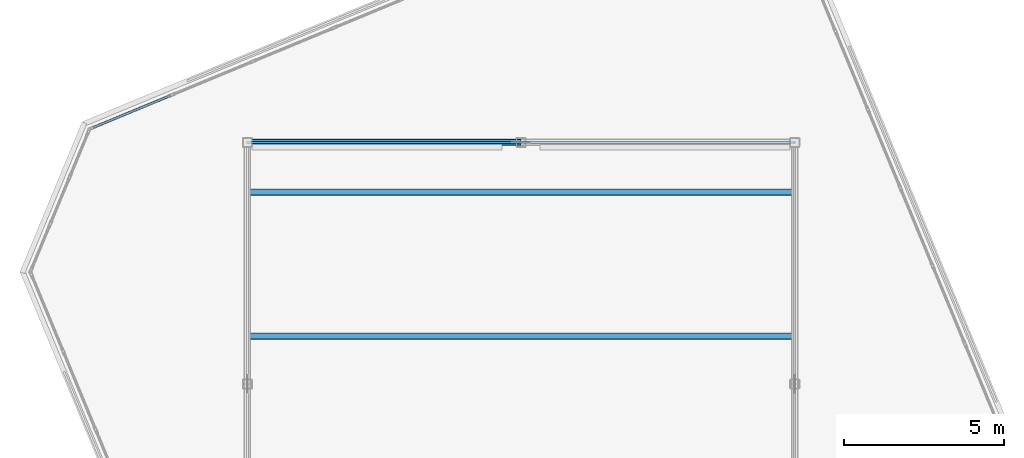
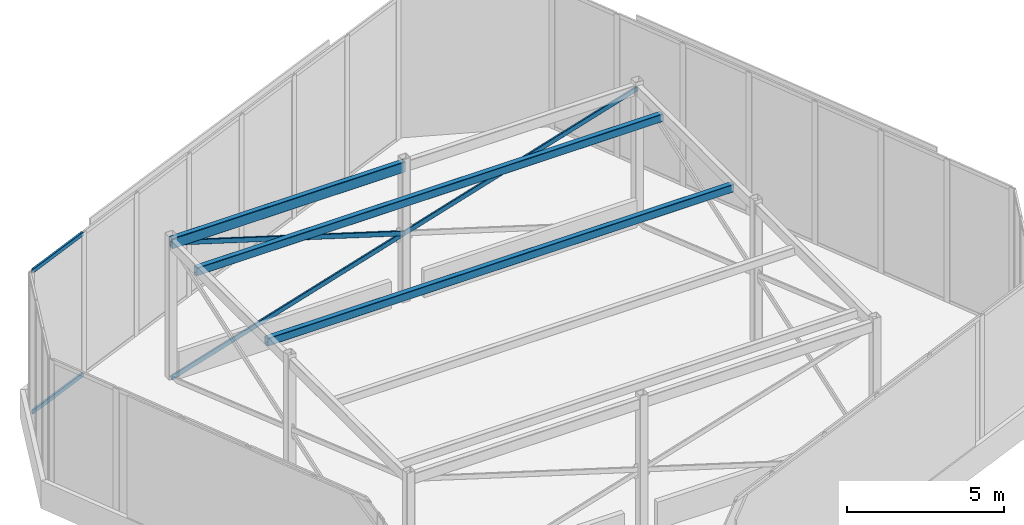
# One storey, part 8 of 12: 7 members, 1 element without a shape of its own.
"""IFC4 building model written with IfcOpenShell, lengths in metres."""

from ifc_helpers import new_model, si_unit, direction, frame, origin, origin_2d, place, context, subcontext, project, spatial, hollow_rectangle, extrude, source, transform, mapped, material, material_profile, profile_set, type_object, element, aggregate, save


model = new_model("IFC4")

# Units and contexts
model_context = context("Model", 3, precision=1e-05, world=origin(), true_north=direction((0.0, 1.0)))
body_context = subcontext(model_context, "Body", "Model", "MODEL_VIEW")
ifc_project = project(units=[si_unit("LENGTHUNIT", "METRE"), si_unit("AREAUNIT", "SQUARE_METRE"), si_unit("VOLUMEUNIT", "CUBIC_METRE"), si_unit("PLANEANGLEUNIT", "RADIAN"), si_unit("MASSUNIT", "GRAM", prefix="KILO")], contexts=[model_context])

# Site, building, storey
site_placement = place(None, origin())
site = spatial("IfcSite", under=ifc_project, at=site_placement, CompositionType="ELEMENT")
building_placement = place(site_placement, origin())
building = spatial("IfcBuilding", under=site, at=building_placement, Name="Torre Montelarca", CompositionType="ELEMENT")
storey_placement = place(building_placement, frame((0.0, 0.0, 370.60009765625)))
storey = spatial("IfcBuildingStorey", under=building, at=storey_placement, Name="RF", CompositionType="ELEMENT", Elevation=370.60009765625)

# Members
ifc_material_1 = material(Name="Steel ASTM A500 Grade C", Category="steel")
ifc_material_profile_1 = material_profile(ifc_material_1, hollow_rectangle(XDim=0.203125, YDim=0.406494140625, WallThickness=0.015869140625, InnerFilletRadius=0.015869140625, OuterFilletRadius=0.03173828125, at=origin_2d()), Name="HSS406X203X15.9", Category="steel")
ifc_profile_set_1 = profile_set([ifc_material_profile_1], Name="Steel ASTM A500 Grade C")
member_type_1 = type_object("IfcMemberType", Name="MB-CF-HSS406-EXT", PredefinedType="USERDEFINED", material=ifc_profile_set_1)
shared_shape_1 = source(origin(), body_context, "Body", "SweptSolid", [
    extrude(hollow_rectangle(XDim=0.203125, YDim=0.406494140625, WallThickness=0.015869140625, InnerFilletRadius=0.015869140625, OuterFilletRadius=0.03173828125, at=origin_2d()), origin(), (0.0, 0.0, 1.0), 8.550048828125),
])
member_1_placement = place(storey_placement, frame((9.449951171875, 39.550048828125, 5.199951171875), z_axis=(1.0, 0.0, 0.0), x_axis=(0.0, 1.0, 0.0)))
element("IfcMember", 1, at=member_1_placement, inside=storey, type_object=member_type_1, Name="RF Crown Frame Ring Beam 03", ObjectType="CROWN FRAME", PredefinedType="USERDEFINED", context=body_context, shape_type="MappedRepresentation", body=[
    mapped(shared_shape_1, transform((0.0, 0.0, 0.0), scale=1.0)),
])
ifc_material_profile_2 = material_profile(ifc_material_1, hollow_rectangle(XDim=0.203125, YDim=0.3046875, WallThickness=0.0126953125, InnerFilletRadius=0.0126953125, OuterFilletRadius=0.025390625, at=origin_2d()), Name="HSS305X203X12.7", Category="steel")
ifc_profile_set_2 = profile_set([ifc_material_profile_2], Name="Steel ASTM A500 Grade C")
member_type_2 = type_object("IfcMemberType", Name="MB-PU-HSS305-EXT", PredefinedType="PURLIN", material=ifc_profile_set_2)
shared_shape_2 = source(origin(), body_context, "Body", "SweptSolid", [
    extrude(hollow_rectangle(XDim=0.203125, YDim=0.3046875, WallThickness=0.0126953125, InnerFilletRadius=0.0126953125, OuterFilletRadius=0.025390625, at=origin_2d()), origin(), (0.0, 0.0, 1.0), 17.10009765625),
])
for number, where, z_axis, x_axis, name in (
    (2, (9.449951171875, 33.5, 5.0498046875), (1.0, 0.0, 0.0), (0.0, 1.0, 0.0), "RF Crown Canopy Purlin 03"),
    (3, (9.449951171875, 38.0, 5.0498046875), (1.0, 0.0, 0.0), (0.0, 1.0, 0.0), "RF Crown Canopy Purlin 04"),
):
    element("IfcMember", number, at=place(storey_placement, frame(where, z_axis=z_axis, x_axis=x_axis)), inside=storey, type_object=member_type_2, Name=name, PredefinedType="PURLIN", context=body_context, shape_type="MappedRepresentation", body=[
        mapped(shared_shape_2, transform((0.0, 0.0, 0.0), scale=1.0)),
    ])

# Curtain wall, members
ifc_material_2 = material(Name="Amber translucent laminated glass", Category="glass")
curtain_wall_type = type_object("IfcCurtainWallType", Name="CW-SYS-LANT", PredefinedType="USERDEFINED", material=ifc_material_2)
curtain_wall_placement = place(storey_placement, origin())
curtain_wall = element("IfcCurtainWall", 4, at=curtain_wall_placement, inside=storey, type_object=curtain_wall_type, Name="RF Crown Translucent Amber Lantern Curtain Wall 07-1", ObjectType="TRANSLUCENT LANTERN", PredefinedType="USERDEFINED")
ifc_material_3 = material(Name="Anodised aluminium AA 6063-T6", Category="aluminium")
ifc_material_profile_3 = material_profile(ifc_material_3, hollow_rectangle(XDim=0.074951171875, YDim=0.159912109375, WallThickness=0.0048828125, InnerFilletRadius=0.0048828125, OuterFilletRadius=0.010009765625, at=origin_2d()), Name="ALU75X160X5", Category="aluminium")
ifc_profile_set_3 = profile_set([ifc_material_profile_3], Name="Anodised aluminium AA 6063-T6")
member_type_3 = type_object("IfcMemberType", Name="CWT-ALU160", PredefinedType="USERDEFINED", material=ifc_profile_set_3)
shared_shape_3 = source(origin(), body_context, "Body", "SweptSolid", [
    extrude(hollow_rectangle(XDim=0.074951171875, YDim=0.159912109375, WallThickness=0.0048828125, InnerFilletRadius=0.0048828125, OuterFilletRadius=0.010009765625, at=origin_2d()), origin(), (0.0, 0.0, 1.0), 2.622802734375),
])
member_2_placement = place(storey_placement, frame((7.05224609375, 41.017333984375, 0.037353515625), z_axis=(-0.923881823315, -0.382677901829, 0.0), x_axis=(0.382677901829, -0.923881823315, 0.0)))
member_2 = element("IfcMember", 5, at=member_2_placement, type_object=member_type_3, Name="CW transom 7.1", ObjectType="TRANSOM", PredefinedType="USERDEFINED", context=body_context, shape_type="MappedRepresentation", body=[
    mapped(shared_shape_3, transform((0.0, 0.0, 0.0), scale=1.0)),
])
member_3_placement = place(storey_placement, frame((7.05224609375, 41.017333984375, 5.50244140625), z_axis=(-0.923881823315, -0.382677901829, 0.0), x_axis=(0.382677901829, -0.923881823315, 0.0)))
member_3 = element("IfcMember", 6, at=member_3_placement, type_object=member_type_3, Name="CW transom 7.2", ObjectType="TRANSOM", PredefinedType="USERDEFINED", context=body_context, shape_type="MappedRepresentation", body=[
    mapped(shared_shape_3, transform((0.0, 0.0, 0.0), scale=1.0)),
])
aggregate(curtain_wall, [member_2, member_3])

# Members
ifc_material_4 = material(Name="Architectural perforated terracotta ceramic on aluminium AA 6063-T6", Category="masonry")
ifc_material_profile_4 = material_profile(ifc_material_4, hollow_rectangle(XDim=0.06494140625, YDim=0.179931640625, WallThickness=0.00390625, InnerFilletRadius=0.00390625, OuterFilletRadius=0.008056640625, at=origin_2d()), Name="ALU65X180X4", Category="masonry")
ifc_profile_set_4 = profile_set([ifc_material_profile_4], Name="Architectural perforated terracotta ceramic on aluminium AA 6063-T6")
member_type_4 = type_object("IfcMemberType", Name="SCR-DIAG-RIB", PredefinedType="USERDEFINED", material=ifc_profile_set_4)
shared_shape_4 = source(origin(), body_context, "Body", "SweptSolid", [
    extrude(hollow_rectangle(XDim=0.06494140625, YDim=0.179931640625, WallThickness=0.00390625, InnerFilletRadius=0.00390625, OuterFilletRadius=0.008056640625, at=origin_2d()), origin(), (0.0, 0.0, 1.0), 17.887939453125),
])
member_4_placement = place(storey_placement, frame((9.449951171875, 39.550048828125, -0.050048828125), z_axis=(0.955960607945, 0.0, 0.29349500176), x_axis=(0.0, 1.0, 0.0)))
element("IfcMember", 7, at=member_4_placement, inside=storey, type_object=member_type_4, Name="RF Crown Continuous Diagonal Brace NA", ObjectType="SOLAR SCREEN", PredefinedType="USERDEFINED", context=body_context, shape_type="MappedRepresentation", body=[
    mapped(shared_shape_4, transform((0.0, 0.0, 0.0), scale=1.0)),
])
shared_shape_5 = source(origin(), body_context, "Body", "SweptSolid", [
    extrude(hollow_rectangle(XDim=0.06494140625, YDim=0.179931640625, WallThickness=0.00390625, InnerFilletRadius=0.00390625, OuterFilletRadius=0.008056640625, at=origin_2d()), origin(), (0.0, 0.0, 1.0), 8.94384765625),
])
member_5_placement = place(storey_placement, frame((18.0, 39.550048828125, 2.574951171875), z_axis=(-0.955960607945, 0.0, 0.29349500176), x_axis=(0.0, -1.0, 0.0)))
element("IfcMember", 8, at=member_5_placement, inside=storey, type_object=member_type_4, Name="RF Crown Split Diagonal Brace Upper NB2", ObjectType="SOLAR SCREEN", PredefinedType="USERDEFINED", context=body_context, shape_type="MappedRepresentation", body=[
    mapped(shared_shape_5, transform((0.0, 0.0, 0.0), scale=1.0)),
])

save(model, "model.ifc")
